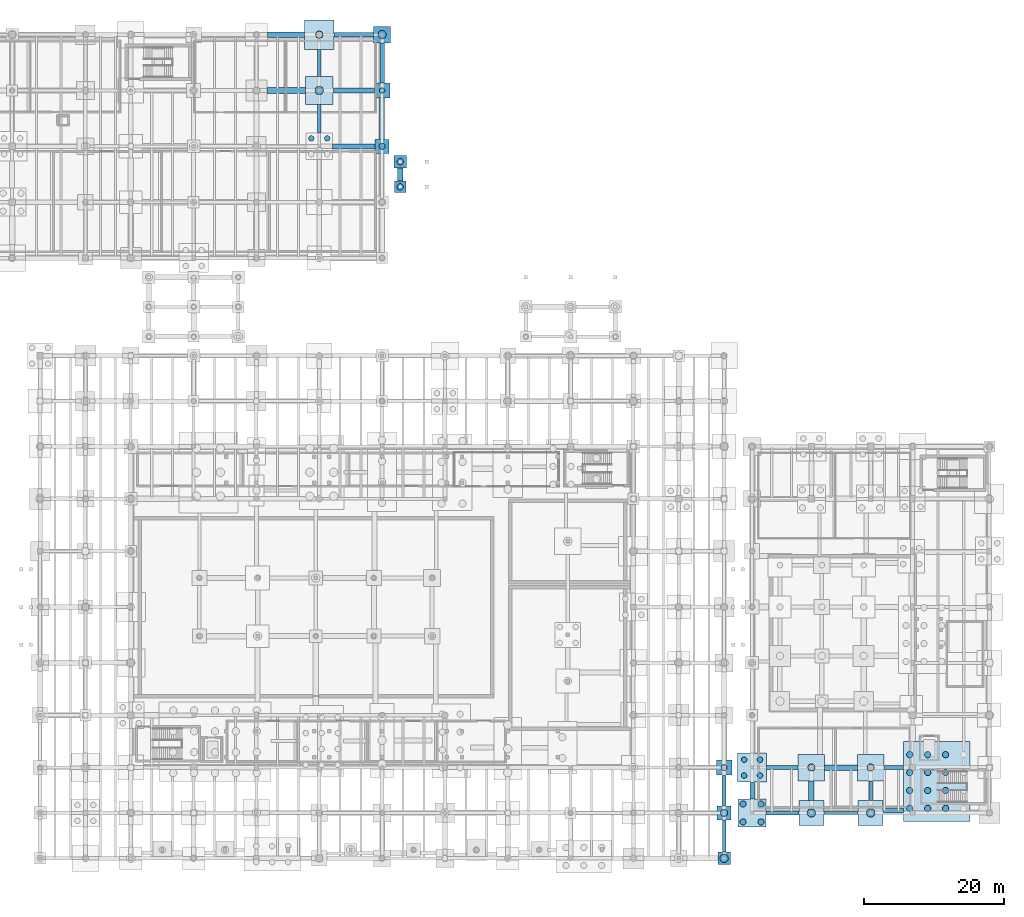
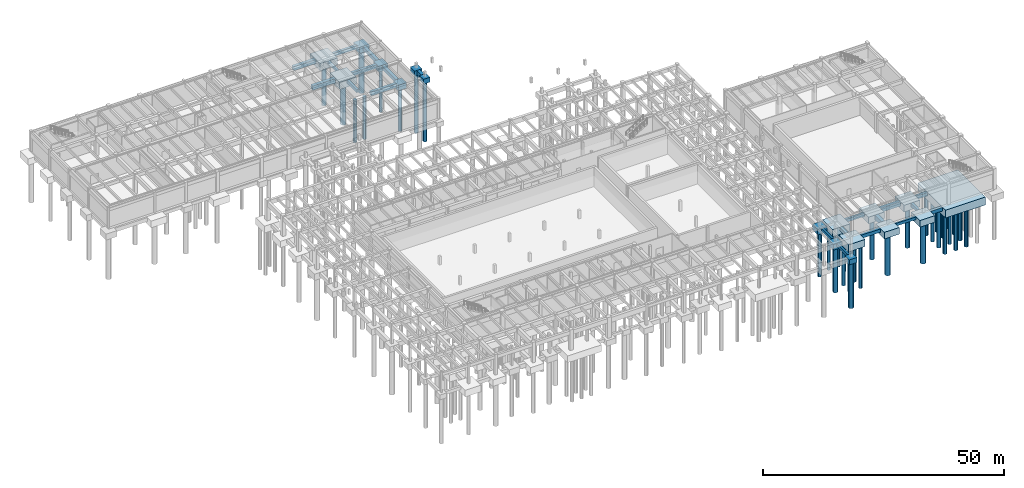
# One storey, part 12 of 36: 38 footings, 36 piles.
"""IFC4 building model written with IfcOpenShell, lengths in metres."""

from ifc_helpers import new_model, si_unit, direction, frame, origin, origin_2d, place, context, subcontext, project, spatial, polyline, circle, outline, extrude, material, material_profile, profile_set, type_object, element, save


model = new_model("IFC4")

# Units and contexts
model_context = context("Model", 3, precision=1e-05, world=origin(), true_north=direction((0.0, 1.0)))
body_context = subcontext(model_context, "Body", "Model", "MODEL_VIEW")
ifc_project = project(units=[si_unit("LENGTHUNIT", "METRE"), si_unit("AREAUNIT", "SQUARE_METRE"), si_unit("VOLUMEUNIT", "CUBIC_METRE"), si_unit("PLANEANGLEUNIT", "RADIAN"), si_unit("MASSUNIT", "GRAM", prefix="KILO"), si_unit("THERMODYNAMICTEMPERATUREUNIT", "KELVIN"), si_unit("POWERUNIT", "WATT")], contexts=[model_context])

# Site, building, storey
site_placement = place(None, origin())
site = spatial("IfcSite", under=ifc_project, at=site_placement, CompositionType="ELEMENT")
building_placement = place(site_placement, origin())
building = spatial("IfcBuilding", under=site, at=building_placement, Name="Tepalcoro Natatorium and Aquatics Centre", CompositionType="ELEMENT")
storey_placement = place(building_placement, frame((0.0, 0.0, -5.199951171875)))
storey = spatial("IfcBuildingStorey", under=building, at=storey_placement, Name="B1", CompositionType="ELEMENT", Elevation=-5.199951171875)

# Footings
ifc_material = material(Name="Concrete C40/50 (fc 40 MPa)", Category="concrete")
footing_type_1 = type_object("IfcFootingType", Name="FB_450x700", PredefinedType="FOOTING_BEAM", material=ifc_material)
footing_1_placement = place(storey_placement, frame((0.0, 0.0, -0.699951171875)))
element("IfcFooting", 1, at=footing_1_placement, inside=storey, type_object=footing_type_1, Name="V1 B1 Foundation Tie Beam Y", PredefinedType="FOOTING_BEAM", context=body_context, shape_type="SweptSolid", body=[
    extrude(outline(polyline([(138.22509765625, 7.5048828125), (138.22509765625, 11.89501953125), (137.77490234375, 11.89501953125), (137.77490234375, 7.5048828125), (138.22509765625, 7.5048828125)])), origin(), (0.0, 0.0, 1.0), 0.699951171875),
])
footing_2_placement = place(storey_placement, frame((0.0, 0.0, -1.199951171875)))
element("IfcFooting", 2, at=footing_2_placement, inside=storey, type_object=footing_type_1, Name="V2 B1 Foundation Tie Beam X", PredefinedType="FOOTING_BEAM", context=body_context, shape_type="SweptSolid", body=[
    extrude(outline(polyline([(152.304931640625, 6.27490234375), (157.195068359375, 6.27490234375), (157.195068359375, 6.72509765625), (152.304931640625, 6.72509765625), (152.304931640625, 6.27490234375)])), origin(), (0.0, 0.0, 1.0), 0.699951171875),
])
footing_3_placement = place(storey_placement, frame((0.0, 0.0, -1.16015625)))
element("IfcFooting", 3, at=footing_3_placement, inside=storey, type_object=footing_type_1, Name="V4 B1 Foundation Tie Beam Y", PredefinedType="FOOTING_BEAM", context=body_context, shape_type="SweptSolid", body=[
    extrude(outline(polyline([(80.22509765625, 112.0048828125), (80.22509765625, 115.89501953125), (79.77490234375, 115.89501953125), (79.77490234375, 112.0048828125), (80.22509765625, 112.0048828125)])), origin(), (0.0, 0.0, 1.0), 0.7001953125),
])
footing_type_2 = type_object("IfcFootingType", Name="FB_500x750", PredefinedType="FOOTING_BEAM", material=ifc_material)
footing_4_placement = place(storey_placement, frame((0.0, 0.0, -0.75)))
element("IfcFooting", 4, at=footing_4_placement, inside=storey, type_object=footing_type_2, Name="V1 B1 Foundation Tie Beam Y", PredefinedType="FOOTING_BEAM", context=body_context, shape_type="SweptSolid", body=[
    extrude(outline(polyline([(138.25, 0.905029296875), (138.25, 5.4951171875), (137.75, 5.4951171875), (137.75, 0.905029296875), (138.25, 0.905029296875)])), origin(), (0.0, 0.0, 1.0), 0.75),
])
footing_5_placement = place(storey_placement, frame((0.0, 0.0, -1.2099609375)))
element("IfcFooting", 5, at=footing_5_placement, inside=storey, type_object=footing_type_2, Name="V4 B1 Foundation Tie Beam Y", PredefinedType="FOOTING_BEAM", context=body_context, shape_type="SweptSolid", body=[
    extrude(outline(polyline([(80.25, 103.905029296875), (80.25, 107.9951171875), (79.75, 107.9951171875), (79.75, 103.905029296875), (80.25, 103.905029296875)])), origin(), (0.0, 0.0, 1.0), 0.75),
])
footing_type_3 = type_object("IfcFootingType", Name="FB_550x800", PredefinedType="FOOTING_BEAM", material=ifc_material)
footing_6_placement = place(storey_placement, frame((0.0, 0.0, -1.300048828125)))
element("IfcFooting", 6, at=footing_6_placement, inside=storey, type_object=footing_type_3, Name="V2 B1 Foundation Tie Beam X", PredefinedType="FOOTING_BEAM", context=body_context, shape_type="SweptSolid", body=[
    extrude(outline(polyline([(144.10498046875, 12.72509765625), (148.594970703125, 12.72509765625), (148.594970703125, 13.27490234375), (144.10498046875, 13.27490234375), (144.10498046875, 12.72509765625)])), origin(), (0.0, 0.0, 1.0), 0.800048828125),
])
footing_7_placement = place(storey_placement, frame((0.0, 0.0, -1.300048828125)))
element("IfcFooting", 7, at=footing_7_placement, inside=storey, type_object=footing_type_3, Name="V2 B1 Foundation Tie Beam Y", PredefinedType="FOOTING_BEAM", context=body_context, shape_type="SweptSolid", body=[
    extrude(outline(polyline([(159.27490234375, 8.304931640625), (159.27490234375, 11.094970703125), (158.72509765625, 11.094970703125), (158.72509765625, 8.304931640625), (159.27490234375, 8.304931640625)])), origin(), (0.0, 0.0, 1.0), 0.800048828125),
])
footing_type_4 = type_object("IfcFootingType", Name="FB_600x850", PredefinedType="FOOTING_BEAM", material=ifc_material)
footing_8_placement = place(storey_placement, frame((0.0, 0.0, -1.35009765625)))
element("IfcFooting", 8, at=footing_8_placement, inside=storey, type_object=footing_type_4, Name="V2 B1 Foundation Tie Beam X", PredefinedType="FOOTING_BEAM", context=body_context, shape_type="SweptSolid", body=[
    extrude(outline(polyline([(144.0048828125, 6.199951171875), (148.695068359375, 6.199951171875), (148.695068359375, 6.800048828125), (144.0048828125, 6.800048828125), (144.0048828125, 6.199951171875)])), origin(), (0.0, 0.0, 1.0), 0.85009765625),
])
footing_9_placement = place(storey_placement, frame((0.0, 0.0, -1.35009765625)))
element("IfcFooting", 9, at=footing_9_placement, inside=storey, type_object=footing_type_4, Name="V2 B1 Foundation Tie Beam X", PredefinedType="FOOTING_BEAM", context=body_context, shape_type="SweptSolid", body=[
    extrude(outline(polyline([(160.905029296875, 12.699951171875), (163.695068359375, 12.699951171875), (163.695068359375, 13.300048828125), (160.905029296875, 13.300048828125), (160.905029296875, 12.699951171875)])), origin(), (0.0, 0.0, 1.0), 0.85009765625),
])
footing_10_placement = place(storey_placement, frame((0.0, 0.0, -1.31005859375)))
element("IfcFooting", 10, at=footing_10_placement, inside=storey, type_object=footing_type_4, Name="V4 B1 Foundation Tie Beam X", PredefinedType="FOOTING_BEAM", context=body_context, shape_type="SweptSolid", body=[
    extrude(outline(polyline([(82.10498046875, 117.699951171875), (87.794921875, 117.699951171875), (87.794921875, 118.300048828125), (82.10498046875, 118.300048828125), (82.10498046875, 117.699951171875)])), origin(), (0.0, 0.0, 1.0), 0.85009765625),
])
footing_type_5 = type_object("IfcFootingType", Name="FB_650x900", PredefinedType="FOOTING_BEAM", material=ifc_material)
footing_11_placement = place(storey_placement, frame((0.0, 0.0, -1.400146484375)))
element("IfcFooting", 11, at=footing_11_placement, inside=storey, type_object=footing_type_5, Name="V2 B1 Foundation Tie Beam X", PredefinedType="FOOTING_BEAM", context=body_context, shape_type="SweptSolid", body=[
    extrude(outline(polyline([(160.804931640625, 6.47509765625), (163.695068359375, 6.47509765625), (163.695068359375, 7.125), (160.804931640625, 7.125), (160.804931640625, 6.47509765625)])), origin(), (0.0, 0.0, 1.0), 0.900146484375),
])
footing_12_placement = place(storey_placement, frame((0.0, 0.0, -1.400146484375)))
element("IfcFooting", 12, at=footing_12_placement, inside=storey, type_object=footing_type_5, Name="V2 B1 Foundation Tie Beam Y", PredefinedType="FOOTING_BEAM", context=body_context, shape_type="SweptSolid", body=[
    extrude(outline(polyline([(142.324951171875, 8.5048828125), (142.324951171875, 10.89501953125), (141.675048828125, 10.89501953125), (141.675048828125, 8.5048828125), (142.324951171875, 8.5048828125)])), origin(), (0.0, 0.0, 1.0), 0.900146484375),
])
footing_13_placement = place(storey_placement, frame((0.0, 0.0, -1.360107421875)))
element("IfcFooting", 13, at=footing_13_placement, inside=storey, type_object=footing_type_5, Name="V4 B1 Foundation Tie Beam X", PredefinedType="FOOTING_BEAM", context=body_context, shape_type="SweptSolid", body=[
    extrude(outline(polyline([(82.0048828125, 109.675048828125), (87.89501953125, 109.675048828125), (87.89501953125, 110.324951171875), (82.0048828125, 110.324951171875), (82.0048828125, 109.675048828125)])), origin(), (0.0, 0.0, 1.0), 0.900146484375),
])
footing_14_placement = place(storey_placement, frame((0.0, 0.0, -1.360107421875)))
element("IfcFooting", 14, at=footing_14_placement, inside=storey, type_object=footing_type_5, Name="V4 B1 Foundation Tie Beam Y", PredefinedType="FOOTING_BEAM", context=body_context, shape_type="SweptSolid", body=[
    extrude(outline(polyline([(89.324951171875, 111.10498046875), (89.324951171875, 116.794921875), (88.675048828125, 116.794921875), (88.675048828125, 111.10498046875), (89.324951171875, 111.10498046875)])), origin(), (0.0, 0.0, 1.0), 0.900146484375),
])
footing_type_6 = type_object("IfcFootingType", Name="FB_700x950", PredefinedType="FOOTING_BEAM", material=ifc_material)
footing_15_placement = place(storey_placement, frame((0.0, 0.0, -1.41015625)))
element("IfcFooting", 15, at=footing_15_placement, inside=storey, type_object=footing_type_6, Name="V4 B1 Foundation Tie Beam X", PredefinedType="FOOTING_BEAM", context=body_context, shape_type="SweptSolid", body=[
    extrude(outline(polyline([(81.905029296875, 101.64990234375), (87.9951171875, 101.64990234375), (87.9951171875, 102.35009765625), (81.905029296875, 102.35009765625), (81.905029296875, 101.64990234375)])), origin(), (0.0, 0.0, 1.0), 0.9501953125),
])
footing_16_placement = place(storey_placement, frame((0.0, 0.0, -1.41015625)))
element("IfcFooting", 16, at=footing_16_placement, inside=storey, type_object=footing_type_6, Name="V4 B1 Foundation Tie Beam Y", PredefinedType="FOOTING_BEAM", context=body_context, shape_type="SweptSolid", body=[
    extrude(outline(polyline([(89.35009765625, 103.0048828125), (89.35009765625, 108.89501953125), (88.64990234375, 108.89501953125), (88.64990234375, 103.0048828125), (89.35009765625, 103.0048828125)])), origin(), (0.0, 0.0, 1.0), 0.9501953125),
])
footing_type_7 = type_object("IfcFootingType", Name="FB_750x1000", PredefinedType="FOOTING_BEAM", material=ifc_material)
footing_17_placement = place(storey_placement, frame((0.0, 0.0, -1.4599609375)))
element("IfcFooting", 17, at=footing_17_placement, inside=storey, type_object=footing_type_7, Name="V4 B1 Foundation Tie Beam X", PredefinedType="FOOTING_BEAM", context=body_context, shape_type="SweptSolid", body=[
    extrude(outline(polyline([(72.60498046875, 117.625), (77.89501953125, 117.625), (77.89501953125, 118.375), (72.60498046875, 118.375), (72.60498046875, 117.625)])), origin(), (0.0, 0.0, 1.0), 1.0),
])
footing_18_placement = place(storey_placement, frame((0.0, 0.0, 2.449951171875)))
element("IfcFooting", 18, at=footing_18_placement, inside=storey, type_object=footing_type_7, Name="V6N B1 Foundation Tie Beam Y", PredefinedType="FOOTING_BEAM", context=body_context, shape_type="SweptSolid", body=[
    extrude(outline(polyline([(91.97509765625, 97.0048828125), (91.97509765625, 98.89501953125), (91.22509765625, 98.89501953125), (91.22509765625, 97.0048828125), (91.97509765625, 97.0048828125)])), origin(), (0.0, 0.0, 1.0), 1.0),
])
footing_type_8 = type_object("IfcFootingType", Name="FB_800x1100", PredefinedType="FOOTING_BEAM", material=ifc_material)
footing_19_placement = place(storey_placement, frame((0.0, 0.0, -1.60009765625)))
element("IfcFooting", 19, at=footing_19_placement, inside=storey, type_object=footing_type_8, Name="V2 B1 Foundation Tie Beam X", PredefinedType="FOOTING_BEAM", context=body_context, shape_type="SweptSolid", body=[
    extrude(outline(polyline([(152.405029296875, 12.60009765625), (157.094970703125, 12.60009765625), (157.094970703125, 13.39990234375), (152.405029296875, 13.39990234375), (152.405029296875, 12.60009765625)])), origin(), (0.0, 0.0, 1.0), 1.10009765625),
])
footing_20_placement = place(storey_placement, frame((0.0, 0.0, -1.60009765625)))
element("IfcFooting", 20, at=footing_20_placement, inside=storey, type_object=footing_type_8, Name="V2 B1 Foundation Tie Beam Y", PredefinedType="FOOTING_BEAM", context=body_context, shape_type="SweptSolid", body=[
    extrude(outline(polyline([(150.89990234375, 8.304931640625), (150.89990234375, 11.094970703125), (150.10009765625, 11.094970703125), (150.10009765625, 8.304931640625), (150.89990234375, 8.304931640625)])), origin(), (0.0, 0.0, 1.0), 1.10009765625),
])
footing_21_placement = place(storey_placement, frame((0.0, 0.0, -1.56005859375)))
element("IfcFooting", 21, at=footing_21_placement, inside=storey, type_object=footing_type_8, Name="V4 B1 Foundation Tie Beam X", PredefinedType="FOOTING_BEAM", context=body_context, shape_type="SweptSolid", body=[
    extrude(outline(polyline([(72.5048828125, 109.60009765625), (77.9951171875, 109.60009765625), (77.9951171875, 110.39990234375), (72.5048828125, 110.39990234375), (72.5048828125, 109.60009765625)])), origin(), (0.0, 0.0, 1.0), 1.10009765625),
])
footing_type_9 = type_object("IfcFootingType", Name="PC_1600x1600x1200", PredefinedType="PILE_CAP", material=ifc_material)
footing_22_placement = place(storey_placement, frame((0.0, 0.0, 2.25)))
element("IfcFooting", 22, at=footing_22_placement, inside=storey, type_object=footing_type_9, Name="V6N Reinforced Concrete Pile Cap 323", PredefinedType="PILE_CAP", context=body_context, shape_type="SweptSolid", body=[
    extrude(outline(polyline([(90.800048828125, 95.39990234375), (92.39990234375, 95.39990234375), (92.39990234375, 97.0), (90.800048828125, 97.0), (90.800048828125, 95.39990234375)])), origin(), (0.0, 0.0, 1.0), 1.199951171875),
])
footing_type_10 = type_object("IfcFootingType", Name="PC_1800x1800x1300", PredefinedType="PILE_CAP", material=ifc_material)
footing_23_placement = place(storey_placement, frame((0.0, 0.0, -1.300048828125)))
element("IfcFooting", 23, at=footing_23_placement, inside=storey, type_object=footing_type_10, Name="V1 Reinforced Concrete Pile Cap 128", PredefinedType="PILE_CAP", context=body_context, shape_type="SweptSolid", body=[
    extrude(outline(polyline([(137.10009765625, -0.89990234375), (138.89990234375, -0.89990234375), (138.89990234375, 0.89990234375), (137.10009765625, 0.89990234375), (137.10009765625, -0.89990234375)])), origin(), (0.0, 0.0, 1.0), 1.300048828125),
])
footing_24_placement = place(storey_placement, frame((0.0, 0.0, 2.14990234375)))
element("IfcFooting", 24, at=footing_24_placement, inside=storey, type_object=footing_type_10, Name="V6N Reinforced Concrete Pile Cap 322", PredefinedType="PILE_CAP", context=body_context, shape_type="SweptSolid", body=[
    extrude(outline(polyline([(90.699951171875, 98.89990234375), (92.5, 98.89990234375), (92.5, 100.699951171875), (90.699951171875, 100.699951171875), (90.699951171875, 98.89990234375)])), origin(), (0.0, 0.0, 1.0), 1.300048828125),
])
footing_type_11 = type_object("IfcFootingType", Name="PC_2000x2000x1400", PredefinedType="PILE_CAP", material=ifc_material)
footing_25_placement = place(storey_placement, frame((0.0, 0.0, -1.400146484375)))
element("IfcFooting", 25, at=footing_25_placement, inside=storey, type_object=footing_type_11, Name="V1 Reinforced Concrete Pile Cap 127", PredefinedType="PILE_CAP", context=body_context, shape_type="SweptSolid", body=[
    extrude(outline(polyline([(137.0, 5.5), (139.0, 5.5), (139.0, 7.5), (137.0, 7.5), (137.0, 5.5)])), origin(), (0.0, 0.0, 1.0), 1.400146484375),
])
footing_26_placement = place(storey_placement, frame((0.0, 0.0, -1.860107421875)))
element("IfcFooting", 26, at=footing_26_placement, inside=storey, type_object=footing_type_11, Name="V4 Reinforced Concrete Pile Cap 222", PredefinedType="PILE_CAP", context=body_context, shape_type="SweptSolid", body=[
    extrude(outline(polyline([(88.0, 101.0), (90.0, 101.0), (90.0, 103.0), (88.0, 103.0), (88.0, 101.0)])), origin(), (0.0, 0.0, 1.0), 1.400146484375),
])
footing_type_12 = type_object("IfcFootingType", Name="PC_2200x2200x1400", PredefinedType="PILE_CAP", material=ifc_material)
footing_27_placement = place(storey_placement, frame((0.0, 0.0, -1.400146484375)))
element("IfcFooting", 27, at=footing_27_placement, inside=storey, type_object=footing_type_12, Name="V1 Reinforced Concrete Pile Cap 126", PredefinedType="PILE_CAP", context=body_context, shape_type="SweptSolid", body=[
    extrude(outline(polyline([(136.89990234375, 11.89990234375), (139.10009765625, 11.89990234375), (139.10009765625, 14.10009765625), (136.89990234375, 14.10009765625), (136.89990234375, 11.89990234375)])), origin(), (0.0, 0.0, 1.0), 1.400146484375),
])
footing_28_placement = place(storey_placement, frame((0.0, 0.0, -1.860107421875)))
element("IfcFooting", 28, at=footing_28_placement, inside=storey, type_object=footing_type_12, Name="V4 Reinforced Concrete Pile Cap 221", PredefinedType="PILE_CAP", context=body_context, shape_type="SweptSolid", body=[
    extrude(outline(polyline([(87.89990234375, 108.89990234375), (90.10009765625, 108.89990234375), (90.10009765625, 111.10009765625), (87.89990234375, 111.10009765625), (87.89990234375, 108.89990234375)])), origin(), (0.0, 0.0, 1.0), 1.400146484375),
])
footing_type_13 = type_object("IfcFootingType", Name="PC_2400x2400x1500", PredefinedType="PILE_CAP", material=ifc_material)
footing_29_placement = place(storey_placement, frame((0.0, 0.0, -1.9599609375)))
element("IfcFooting", 29, at=footing_29_placement, inside=storey, type_object=footing_type_13, Name="V4 Reinforced Concrete Pile Cap 220", PredefinedType="PILE_CAP", context=body_context, shape_type="SweptSolid", body=[
    extrude(outline(polyline([(87.800048828125, 116.800048828125), (90.199951171875, 116.800048828125), (90.199951171875, 119.199951171875), (87.800048828125, 119.199951171875), (87.800048828125, 116.800048828125)])), origin(), (0.0, 0.0, 1.0), 1.5),
])
footing_type_14 = type_object("IfcFootingType", Name="PC_3600x3600x1700", PredefinedType="PILE_CAP", material=ifc_material)
footing_30_placement = place(storey_placement, frame((0.0, 0.0, -2.199951171875)))
element("IfcFooting", 30, at=footing_30_placement, inside=storey, type_object=footing_type_14, Name="V2 Reinforced Concrete Pile Cap 144", PredefinedType="PILE_CAP", context=body_context, shape_type="SweptSolid", body=[
    extrude(outline(polyline([(148.699951171875, 4.699951171875), (152.300048828125, 4.699951171875), (152.300048828125, 8.300048828125), (148.699951171875, 8.300048828125), (148.699951171875, 4.699951171875)])), origin(), (0.0, 0.0, 1.0), 1.699951171875),
])
footing_31_placement = place(storey_placement, frame((0.0, 0.0, -2.199951171875)))
element("IfcFooting", 31, at=footing_31_placement, inside=storey, type_object=footing_type_14, Name="V2 Reinforced Concrete Pile Cap 156", PredefinedType="PILE_CAP", context=body_context, shape_type="SweptSolid", body=[
    extrude(outline(polyline([(157.199951171875, 4.699951171875), (160.800048828125, 4.699951171875), (160.800048828125, 8.300048828125), (157.199951171875, 8.300048828125), (157.199951171875, 4.699951171875)])), origin(), (0.0, 0.0, 1.0), 1.699951171875),
])
footing_type_15 = type_object("IfcFootingType", Name="PC_3800x3800x1700", PredefinedType="PILE_CAP", material=ifc_material)
footing_32_placement = place(storey_placement, frame((0.0, 0.0, -2.199951171875)))
element("IfcFooting", 32, at=footing_32_placement, inside=storey, type_object=footing_type_15, Name="V2 Reinforced Concrete Pile Cap 143", PredefinedType="PILE_CAP", context=body_context, shape_type="SweptSolid", body=[
    extrude(outline(polyline([(148.60009765625, 11.10009765625), (152.39990234375, 11.10009765625), (152.39990234375, 14.89990234375), (148.60009765625, 14.89990234375), (148.60009765625, 11.10009765625)])), origin(), (0.0, 0.0, 1.0), 1.699951171875),
])
footing_33_placement = place(storey_placement, frame((0.0, 0.0, -2.199951171875)))
element("IfcFooting", 33, at=footing_33_placement, inside=storey, type_object=footing_type_15, Name="V2 Reinforced Concrete Pile Cap 155", PredefinedType="PILE_CAP", context=body_context, shape_type="SweptSolid", body=[
    extrude(outline(polyline([(157.10009765625, 11.10009765625), (160.89990234375, 11.10009765625), (160.89990234375, 14.89990234375), (157.10009765625, 14.89990234375), (157.10009765625, 11.10009765625)])), origin(), (0.0, 0.0, 1.0), 1.699951171875),
])
footing_type_16 = type_object("IfcFootingType", Name="PC_4000x4000x1800", PredefinedType="PILE_CAP", material=ifc_material)
footing_34_placement = place(storey_placement, frame((0.0, 0.0, -2.300048828125)))
element("IfcFooting", 34, at=footing_34_placement, inside=storey, type_object=footing_type_16, Name="V2 Reinforced Concrete Pile Cap 130", PredefinedType="PILE_CAP", context=body_context, shape_type="SweptSolid", body=[
    extrude(outline(polyline([(140.0, 4.5), (144.0, 4.5), (144.0, 8.5), (140.0, 8.5), (140.0, 4.5)])), origin(), (0.0, 0.0, 1.0), 1.800048828125),
])
footing_35_placement = place(storey_placement, frame((0.0, 0.0, -2.260009765625)))
element("IfcFooting", 35, at=footing_35_placement, inside=storey, type_object=footing_type_16, Name="V4 Reinforced Concrete Pile Cap 216", PredefinedType="PILE_CAP", context=body_context, shape_type="SweptSolid", body=[
    extrude(outline(polyline([(78.0, 108.0), (82.0, 108.0), (82.0, 112.0), (78.0, 112.0), (78.0, 108.0)])), origin(), (0.0, 0.0, 1.0), 1.800048828125),
])
footing_type_17 = type_object("IfcFootingType", Name="PC_4200x4200x1800", PredefinedType="PILE_CAP", material=ifc_material)
footing_36_placement = place(storey_placement, frame((0.0, 0.0, -2.300048828125)))
element("IfcFooting", 36, at=footing_36_placement, inside=storey, type_object=footing_type_17, Name="V2 Reinforced Concrete Pile Cap 129", PredefinedType="PILE_CAP", context=body_context, shape_type="SweptSolid", body=[
    extrude(outline(polyline([(139.89990234375, 10.89990234375), (144.10009765625, 10.89990234375), (144.10009765625, 15.10009765625), (139.89990234375, 15.10009765625), (139.89990234375, 10.89990234375)])), origin(), (0.0, 0.0, 1.0), 1.800048828125),
])
footing_37_placement = place(storey_placement, frame((0.0, 0.0, -2.260009765625)))
element("IfcFooting", 37, at=footing_37_placement, inside=storey, type_object=footing_type_17, Name="V4 Reinforced Concrete Pile Cap 215", PredefinedType="PILE_CAP", context=body_context, shape_type="SweptSolid", body=[
    extrude(outline(polyline([(77.89990234375, 115.89990234375), (82.10009765625, 115.89990234375), (82.10009765625, 120.10009765625), (77.89990234375, 120.10009765625), (77.89990234375, 115.89990234375)])), origin(), (0.0, 0.0, 1.0), 1.800048828125),
])
footing_type_18 = type_object("IfcFootingType", Name="PC_4800x8400x2000", PredefinedType="PILE_CAP", material=ifc_material)
footing_38_placement = place(storey_placement, frame((0.0, 0.0, -2.5)))
element("IfcFooting", 38, at=footing_38_placement, inside=storey, type_object=footing_type_18, Name="V2 Reinforced Concrete Pile Cap 162", PredefinedType="PILE_CAP", context=body_context, shape_type="SweptSolid", body=[
    extrude(outline(polyline([(163.699951171875, 5.300048828125), (173.199951171875, 5.300048828125), (173.199951171875, 16.699951171875), (163.699951171875, 16.699951171875), (163.699951171875, 5.300048828125)])), origin(), (0.0, 0.0, 1.0), 2.0),
])

# Piles
ifc_material_profile_1 = material_profile(ifc_material, circle(Radius=0.52490234375, at=origin_2d()), Name="PILE_D1050")
ifc_profile_set_1 = profile_set([ifc_material_profile_1], Name="Concrete C40/50 (fc 40 MPa)")
pile_type_1 = type_object("IfcPileType", Name="PILE_D1050", PredefinedType="BORED", material=ifc_profile_set_1)
pile_1_placement = place(storey_placement, frame((138.0, 6.5, -1.300048828125), z_axis=(0.0, 0.0, -1.0), x_axis=(1.0, 0.0, 0.0)))
element("IfcPile", 39, at=pile_1_placement, inside=storey, type_object=pile_type_1, Name="Bored Pile PILE_D1050 under PC_V1_0126", PredefinedType="BORED", context=body_context, shape_type="SweptSolid", body=[
    extrude(circle(Radius=0.52490234375, at=origin_2d()), origin(), (0.0, 0.0, 1.0), 11.5),
])
for number, where, z_axis, x_axis, name in (
    (40, (150.5, 13.0, -2.10009765625), (0.0, 0.0, -1.0), (1.0, 0.0, 0.0), "Bored Pile PILE_D1050 under PC_V2_0142"),
    (41, (159.0, 13.0, -2.10009765625), (0.0, 0.0, -1.0), (1.0, 0.0, 0.0), "Bored Pile PILE_D1050 under PC_V2_0154"),
):
    element("IfcPile", number, at=place(storey_placement, frame(where, z_axis=z_axis, x_axis=x_axis)), inside=storey, type_object=pile_type_1, Name=name, PredefinedType="BORED", context=body_context, shape_type="SweptSolid", body=[
        extrude(circle(Radius=0.52490234375, at=origin_2d()), origin(), (0.0, 0.0, 1.0), 10.699951171875),
    ])
pile_2_placement = place(storey_placement, frame((80.0, 118.0, -2.16015625), z_axis=(0.0, 0.0, -1.0), x_axis=(1.0, 0.0, 0.0)))
element("IfcPile", 42, at=pile_2_placement, inside=storey, type_object=pile_type_1, Name="Bored Pile PILE_D1050 under PC_V4_0214", PredefinedType="BORED", context=body_context, shape_type="SweptSolid", body=[
    extrude(circle(Radius=0.52490234375, at=origin_2d()), origin(), (0.0, 0.0, 1.0), 10.639892578125),
])
ifc_material_profile_2 = material_profile(ifc_material, circle(Radius=0.60009765625, at=origin_2d()), Name="PILE_D1200")
ifc_profile_set_2 = profile_set([ifc_material_profile_2], Name="Concrete C40/50 (fc 40 MPa)")
pile_type_2 = type_object("IfcPileType", Name="PILE_D1200", PredefinedType="BORED", material=ifc_profile_set_2)
pile_3_placement = place(storey_placement, frame((138.0, 0.0, -1.199951171875), z_axis=(0.0, 0.0, -1.0), x_axis=(1.0, 0.0, 0.0)))
element("IfcPile", 43, at=pile_3_placement, inside=storey, type_object=pile_type_2, Name="Bored Pile PILE_D1200 under PC_V1_0127", PredefinedType="BORED", context=body_context, shape_type="SweptSolid", body=[
    extrude(circle(Radius=0.60009765625, at=origin_2d()), origin(), (0.0, 0.0, 1.0), 11.60009765625),
])
for number, where, z_axis, x_axis, name in (
    (44, (150.5, 6.5, -2.10009765625), (0.0, 0.0, -1.0), (1.0, 0.0, 0.0), "Bored Pile PILE_D1200 under PC_V2_0143"),
    (45, (159.0, 6.5, -2.10009765625), (0.0, 0.0, -1.0), (1.0, 0.0, 0.0), "Bored Pile PILE_D1200 under PC_V2_0155"),
):
    element("IfcPile", number, at=place(storey_placement, frame(where, z_axis=z_axis, x_axis=x_axis)), inside=storey, type_object=pile_type_2, Name=name, PredefinedType="BORED", context=body_context, shape_type="SweptSolid", body=[
        extrude(circle(Radius=0.60009765625, at=origin_2d()), origin(), (0.0, 0.0, 1.0), 10.699951171875),
    ])
pile_4_placement = place(storey_placement, frame((80.0, 110.0, -2.16015625), z_axis=(0.0, 0.0, -1.0), x_axis=(1.0, 0.0, 0.0)))
element("IfcPile", 46, at=pile_4_placement, inside=storey, type_object=pile_type_2, Name="Bored Pile PILE_D1200 under PC_V4_0215", PredefinedType="BORED", context=body_context, shape_type="SweptSolid", body=[
    extrude(circle(Radius=0.60009765625, at=origin_2d()), origin(), (0.0, 0.0, 1.0), 10.639892578125),
])
pile_5_placement = place(storey_placement, frame((89.0, 118.0, -1.860107421875), z_axis=(0.0, 0.0, -1.0), x_axis=(1.0, 0.0, 0.0)))
element("IfcPile", 47, at=pile_5_placement, inside=storey, type_object=pile_type_2, Name="Bored Pile PILE_D1200 under PC_V4_0219", PredefinedType="BORED", context=body_context, shape_type="SweptSolid", body=[
    extrude(circle(Radius=0.60009765625, at=origin_2d()), origin(), (0.0, 0.0, 1.0), 10.93994140625),
])
ifc_material_profile_3 = material_profile(ifc_material, circle(Radius=0.39990234375, at=origin_2d()), Name="PILE_D800")
ifc_profile_set_3 = profile_set([ifc_material_profile_3], Name="Concrete C40/50 (fc 40 MPa)")
pile_type_3 = type_object("IfcPileType", Name="PILE_D800", PredefinedType="BORED", material=ifc_profile_set_3)
for number, where, z_axis, x_axis, name in (
    (48, (140.860107421875, 11.860107421875, -2.199951171875), (0.0, 0.0, -1.0), (1.0, 0.0, 0.0), "Bored Pile PILE_D800 under PC_V2_0128"),
    (49, (140.860107421875, 14.139892578125, -2.199951171875), (0.0, 0.0, -1.0), (1.0, 0.0, 0.0), "Bored Pile PILE_D800 under PC_V2_0128"),
    (50, (143.139892578125, 11.860107421875, -2.199951171875), (0.0, 0.0, -1.0), (1.0, 0.0, 0.0), "Bored Pile PILE_D800 under PC_V2_0128"),
    (51, (143.139892578125, 14.139892578125, -2.199951171875), (0.0, 0.0, -1.0), (1.0, 0.0, 0.0), "Bored Pile PILE_D800 under PC_V2_0128"),
):
    element("IfcPile", number, at=place(storey_placement, frame(where, z_axis=z_axis, x_axis=x_axis)), inside=storey, type_object=pile_type_3, Name=name, PredefinedType="BORED", context=body_context, shape_type="SweptSolid", body=[
        extrude(circle(Radius=0.39990234375, at=origin_2d()), origin(), (0.0, 0.0, 1.0), 10.60009765625),
    ])
for number, where, z_axis, x_axis, name in (
    (52, (78.860107421875, 103.139892578125, -2.06005859375), (0.0, 0.0, -1.0), (1.0, 0.0, 0.0), "Bored Pile PILE_D800 under PC_V4_0216"),
    (53, (81.139892578125, 103.139892578125, -2.06005859375), (0.0, 0.0, -1.0), (1.0, 0.0, 0.0), "Bored Pile PILE_D800 under PC_V4_0216"),
):
    element("IfcPile", number, at=place(storey_placement, frame(where, z_axis=z_axis, x_axis=x_axis)), inside=storey, type_object=pile_type_3, Name=name, PredefinedType="BORED", context=body_context, shape_type="SweptSolid", body=[
        extrude(circle(Radius=0.39990234375, at=origin_2d()), origin(), (0.0, 0.0, 1.0), 10.739990234375),
    ])
pile_6_placement = place(storey_placement, frame((89.0, 110.0, -1.760009765625), z_axis=(0.0, 0.0, -1.0), x_axis=(1.0, 0.0, 0.0)))
element("IfcPile", 54, at=pile_6_placement, inside=storey, type_object=pile_type_3, Name="Bored Pile PILE_D800 under PC_V4_0220", PredefinedType="BORED", context=body_context, shape_type="SweptSolid", body=[
    extrude(circle(Radius=0.39990234375, at=origin_2d()), origin(), (0.0, 0.0, 1.0), 11.0400390625),
])
ifc_material_profile_4 = material_profile(ifc_material, circle(Radius=0.449951171875, at=origin_2d()), Name="PILE_D900")
ifc_profile_set_4 = profile_set([ifc_material_profile_4], Name="Concrete C40/50 (fc 40 MPa)")
pile_type_4 = type_object("IfcPileType", Name="PILE_D900", PredefinedType="BORED", material=ifc_profile_set_4)
pile_7_placement = place(storey_placement, frame((138.0, 13.0, -1.300048828125), z_axis=(0.0, 0.0, -1.0), x_axis=(1.0, 0.0, 0.0)))
element("IfcPile", 55, at=pile_7_placement, inside=storey, type_object=pile_type_4, Name="Bored Pile PILE_D900 under PC_V1_0125", PredefinedType="BORED", context=body_context, shape_type="SweptSolid", body=[
    extrude(circle(Radius=0.449951171875, at=origin_2d()), origin(), (0.0, 0.0, 1.0), 11.5),
])
for number, where, z_axis, x_axis, name in (
    (56, (140.717529296875, 5.217529296875, -2.199951171875), (0.0, 0.0, -1.0), (1.0, 0.0, 0.0), "Bored Pile PILE_D900 under PC_V2_0129"),
    (57, (140.717529296875, 7.782470703125, -2.199951171875), (0.0, 0.0, -1.0), (1.0, 0.0, 0.0), "Bored Pile PILE_D900 under PC_V2_0129"),
    (58, (143.282470703125, 5.217529296875, -2.199951171875), (0.0, 0.0, -1.0), (1.0, 0.0, 0.0), "Bored Pile PILE_D900 under PC_V2_0129"),
    (59, (143.282470703125, 7.782470703125, -2.199951171875), (0.0, 0.0, -1.0), (1.0, 0.0, 0.0), "Bored Pile PILE_D900 under PC_V2_0129"),
):
    element("IfcPile", number, at=place(storey_placement, frame(where, z_axis=z_axis, x_axis=x_axis)), inside=storey, type_object=pile_type_4, Name=name, PredefinedType="BORED", context=body_context, shape_type="SweptSolid", body=[
        extrude(circle(Radius=0.449951171875, at=origin_2d()), origin(), (0.0, 0.0, 1.0), 10.60009765625),
    ])
for number, where, z_axis, x_axis, name in (
    (60, (164.6025390625, 7.152587890625, -2.400146484375), (0.0, 0.0, -1.0), (1.0, 0.0, 0.0), "Bored Pile PILE_D900 under PC_V2_0161"),
    (61, (164.6025390625, 9.717529296875, -2.400146484375), (0.0, 0.0, -1.0), (1.0, 0.0, 0.0), "Bored Pile PILE_D900 under PC_V2_0161"),
    (62, (164.6025390625, 12.282470703125, -2.400146484375), (0.0, 0.0, -1.0), (1.0, 0.0, 0.0), "Bored Pile PILE_D900 under PC_V2_0161"),
    (63, (164.6025390625, 14.847412109375, -2.400146484375), (0.0, 0.0, -1.0), (1.0, 0.0, 0.0), "Bored Pile PILE_D900 under PC_V2_0161"),
    (64, (167.16748046875, 7.152587890625, -2.400146484375), (0.0, 0.0, -1.0), (1.0, 0.0, 0.0), "Bored Pile PILE_D900 under PC_V2_0161"),
    (65, (167.16748046875, 9.717529296875, -2.400146484375), (0.0, 0.0, -1.0), (1.0, 0.0, 0.0), "Bored Pile PILE_D900 under PC_V2_0161"),
    (66, (167.16748046875, 12.282470703125, -2.400146484375), (0.0, 0.0, -1.0), (1.0, 0.0, 0.0), "Bored Pile PILE_D900 under PC_V2_0161"),
    (67, (167.16748046875, 14.847412109375, -2.400146484375), (0.0, 0.0, -1.0), (1.0, 0.0, 0.0), "Bored Pile PILE_D900 under PC_V2_0161"),
    (68, (169.732421875, 7.152587890625, -2.400146484375), (0.0, 0.0, -1.0), (1.0, 0.0, 0.0), "Bored Pile PILE_D900 under PC_V2_0161"),
    (69, (169.732421875, 9.717529296875, -2.400146484375), (0.0, 0.0, -1.0), (1.0, 0.0, 0.0), "Bored Pile PILE_D900 under PC_V2_0161"),
    (70, (169.732421875, 12.282470703125, -2.400146484375), (0.0, 0.0, -1.0), (1.0, 0.0, 0.0), "Bored Pile PILE_D900 under PC_V2_0161"),
    (71, (169.732421875, 14.847412109375, -2.400146484375), (0.0, 0.0, -1.0), (1.0, 0.0, 0.0), "Bored Pile PILE_D900 under PC_V2_0161"),
):
    element("IfcPile", number, at=place(storey_placement, frame(where, z_axis=z_axis, x_axis=x_axis)), inside=storey, type_object=pile_type_4, Name=name, PredefinedType="BORED", context=body_context, shape_type="SweptSolid", body=[
        extrude(circle(Radius=0.449951171875, at=origin_2d()), origin(), (0.0, 0.0, 1.0), 10.39990234375),
    ])
pile_8_placement = place(storey_placement, frame((89.0, 102.0, -1.760009765625), z_axis=(0.0, 0.0, -1.0), x_axis=(1.0, 0.0, 0.0)))
element("IfcPile", 72, at=pile_8_placement, inside=storey, type_object=pile_type_4, Name="Bored Pile PILE_D900 under PC_V4_0221", PredefinedType="BORED", context=body_context, shape_type="SweptSolid", body=[
    extrude(circle(Radius=0.449951171875, at=origin_2d()), origin(), (0.0, 0.0, 1.0), 11.0400390625),
])
pile_9_placement = place(storey_placement, frame((91.60009765625, 99.800048828125, 2.25), z_axis=(0.0, 0.0, -1.0), x_axis=(1.0, 0.0, 0.0)))
element("IfcPile", 73, at=pile_9_placement, inside=storey, type_object=pile_type_4, Name="Bored Pile PILE_D900 under PC_V6N_0321", PredefinedType="BORED", context=body_context, shape_type="SweptSolid", body=[
    extrude(circle(Radius=0.449951171875, at=origin_2d()), origin(), (0.0, 0.0, 1.0), 15.050048828125),
])
pile_10_placement = place(storey_placement, frame((91.60009765625, 96.199951171875, 2.349853515625), z_axis=(0.0, 0.0, -1.0), x_axis=(1.0, 0.0, 0.0)))
element("IfcPile", 74, at=pile_10_placement, inside=storey, type_object=pile_type_4, Name="Bored Pile PILE_D900 under PC_V6N_0322", PredefinedType="BORED", context=body_context, shape_type="SweptSolid", body=[
    extrude(circle(Radius=0.449951171875, at=origin_2d()), origin(), (0.0, 0.0, 1.0), 15.14990234375),
])

save(model, "model.ifc")
